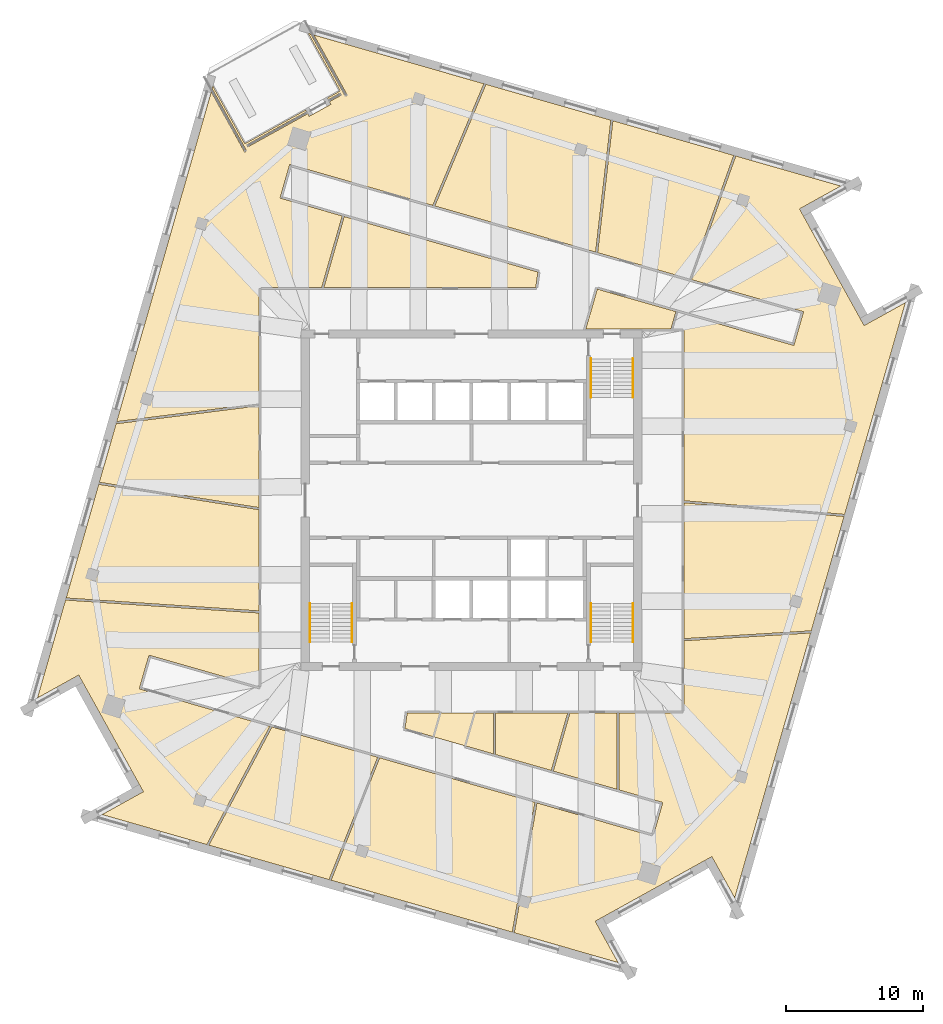
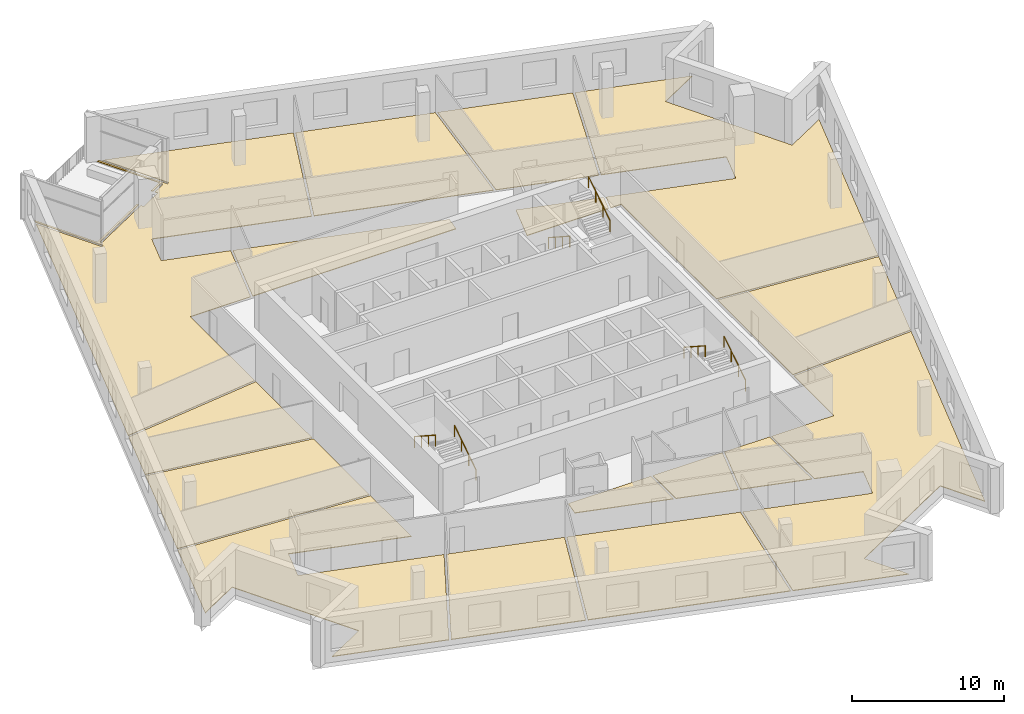
# One storey, part 13 of 15: 16 coverings, 6 railings.
"""IFC4 building model written with IfcOpenShell, lengths in metres."""

from ifc_helpers import new_model, si_unit, direction, frame, origin, origin_2d, place, context, subcontext, project, spatial, polyline, circle, outline, extrude, material, layer, layer_set, type_object, element, save


model = new_model("IFC4")

# Units and contexts
model_context = context("Model", 3, precision=1e-05, world=origin(), true_north=direction((0.0, 1.0)))
body_context = subcontext(model_context, "Body", "Model", "MODEL_VIEW")
ifc_project = project(units=[si_unit("LENGTHUNIT", "METRE"), si_unit("AREAUNIT", "SQUARE_METRE"), si_unit("VOLUMEUNIT", "CUBIC_METRE"), si_unit("PLANEANGLEUNIT", "RADIAN"), si_unit("MASSUNIT", "GRAM", prefix="KILO")], contexts=[model_context])

# Site, building, storey
site_placement = place(None, origin())
site = spatial("IfcSite", under=ifc_project, at=site_placement, CompositionType="ELEMENT")
building_placement = place(site_placement, origin())
building = spatial("IfcBuilding", under=site, at=building_placement, Name="Dilmun Exchange Tower", CompositionType="ELEMENT")
storey_placement = place(building_placement, frame((0.0, 0.0, 328.5)))
storey = spatial("IfcBuildingStorey", under=building, at=storey_placement, Name="L78", CompositionType="ELEMENT", Elevation=328.5)

# Coverings
ifc_material_1 = material(Name="Carpet floor finish 50")
ifc_layer_1 = layer(ifc_material_1, 0.050048828125)
ifc_layer_set_1 = layer_set([ifc_layer_1], Name="Carpet floor finish 50")
covering_type_1 = type_object("IfcCoveringType", Name="Carpet floor finish 50", PredefinedType="FLOORING", material=ifc_layer_set_1)
covering_1_placement = place(storey_placement, origin())
element("IfcCovering", 1, at=covering_1_placement, inside=storey, type_object=covering_type_1, Name="Carpet floor finish 50 Members library", PredefinedType="FLOORING", context=body_context, shape_type="SweptSolid", body=[
    extrude(outline(polyline([(-15.47509765625, -8.199951171875), (-15.47509765625, -13.5654296875), (-23.468994140625, -11.273193359375), (-24.171875, -13.724365234375), (-14.66455078125, -16.45068359375), (-19.263671875, -25.05908203125), (-26.8828125, -22.874267578125), (-23.880859375, -21.210205078125), (-23.880615234375, -21.210205078125), (-23.880615234375, -21.210205078125), (-23.88037109375, -21.2099609375), (-23.880126953125, -21.209716796875), (-23.880126953125, -21.209716796875), (-23.8798828125, -21.20947265625), (-23.8798828125, -21.209228515625), (-23.8798828125, -21.208984375), (-23.8798828125, -21.208984375), (-23.8798828125, -21.208740234375), (-23.8798828125, -21.20849609375), (-23.8798828125, -21.20849609375), (-23.8798828125, -21.208251953125), (-23.8798828125, -21.2080078125), (-23.8798828125, -21.207763671875), (-23.8798828125, -21.20751953125), (-24.170654296875, -20.68310546875), (-24.170654296875, -20.68310546875), (-24.1708984375, -20.68310546875), (-24.1708984375, -20.682861328125), (-28.291748046875, -13.24853515625), (-28.291748046875, -13.24853515625), (-28.291748046875, -13.24853515625), (-28.582763671875, -12.7236328125), (-28.582763671875, -12.7236328125), (-28.5830078125, -12.723388671875), (-28.5830078125, -12.723388671875), (-28.583251953125, -12.72314453125), (-28.58349609375, -12.722900390625), (-28.58349609375, -12.722900390625), (-28.583740234375, -12.722900390625), (-28.583984375, -12.722900390625), (-28.583984375, -12.72265625), (-28.584228515625, -12.72265625), (-28.58447265625, -12.72265625), (-28.584716796875, -12.72265625), (-28.5849609375, -12.722900390625), (-28.585205078125, -12.722900390625), (-28.585205078125, -12.722900390625), (-28.58544921875, -12.722900390625), (-31.587158203125, -14.386962890625), (-29.54296875, -7.2578125), (-15.47509765625, -8.199951171875)])), origin(), (0.0, 0.0, 1.0), 0.050048828125),
])
covering_2_placement = place(storey_placement, origin())
element("IfcCovering", 2, at=covering_2_placement, inside=storey, type_object=covering_type_1, Name="Carpet floor finish 50 Serviced office", PredefinedType="FLOORING", context=body_context, shape_type="SweptSolid", body=[
    extrude(outline(polyline([(-29.500732421875, -7.1103515625), (-27.127685546875, 1.1650390625), (-15.47509765625, -0.680908203125), (-15.47509765625, -8.049560546875), (-29.500732421875, -7.1103515625)])), origin(), (0.0, 0.0, 1.0), 0.050048828125),
])
covering_3_placement = place(storey_placement, origin())
element("IfcCovering", 3, at=covering_3_placement, inside=storey, type_object=covering_type_1, Name="Carpet floor finish 50 Members lounge", PredefinedType="FLOORING", context=body_context, shape_type="SweptSolid", body=[
    extrude(outline(polyline([(-15.47509765625, 6.875244140625), (-15.47509765625, -0.529052734375), (-27.086181640625, 1.310302734375), (-25.864501953125, 5.571044921875), (-15.47509765625, 6.875244140625)])), origin(), (0.0, 0.0, 1.0), 0.050048828125),
])
covering_4_placement = place(storey_placement, origin())
element("IfcCovering", 4, at=covering_4_placement, inside=storey, type_object=covering_type_1, Name="Carpet floor finish 50 Garden lounge", PredefinedType="FLOORING", context=body_context, shape_type="SweptSolid", body=[
    extrude(outline(polyline([(-16.49267578125, 25.95263671875), (-12.065185546875, 28.40673828125), (-11.99609375, 28.28173828125), (-16.35791015625, 25.864013671875), (-16.35791015625, 25.86376953125), (-16.358154296875, 25.86376953125), (-16.3583984375, 25.863525390625), (-16.3583984375, 25.86328125), (-16.358642578125, 25.86328125), (-16.358642578125, 25.863037109375), (-16.358642578125, 25.86279296875), (-16.35888671875, 25.86279296875), (-16.35888671875, 25.862548828125), (-16.35888671875, 25.8623046875), (-16.35888671875, 25.862060546875), (-16.35888671875, 25.86181640625), (-16.35888671875, 25.86181640625), (-16.35888671875, 25.861572265625), (-16.358642578125, 25.861328125), (-16.358642578125, 25.861083984375), (-16.281005859375, 25.72119140625), (-16.281005859375, 25.72119140625), (-16.28076171875, 25.720947265625), (-16.28076171875, 25.720703125), (-16.280517578125, 25.720703125), (-16.280517578125, 25.720703125), (-16.2802734375, 25.720458984375), (-16.280029296875, 25.720458984375), (-16.27978515625, 25.72021484375), (-16.27978515625, 25.72021484375), (-16.279541015625, 25.72021484375), (-16.279296875, 25.72021484375), (-16.279052734375, 25.72021484375), (-16.27880859375, 25.72021484375), (-16.27880859375, 25.72021484375), (-16.278564453125, 25.720458984375), (-16.2783203125, 25.720458984375), (-11.91650390625, 28.13818359375), (-11.810791015625, 27.947509765625), (-11.810791015625, 27.947509765625), (-11.810546875, 27.947265625), (-11.810302734375, 27.947265625), (-11.810302734375, 27.947021484375), (-11.81005859375, 27.947021484375), (-11.81005859375, 27.94677734375), (-11.809814453125, 27.94677734375), (-11.8095703125, 27.94677734375), (-11.809326171875, 27.94677734375), (-11.80908203125, 27.946533203125), (-11.80908203125, 27.946533203125), (-11.808837890625, 27.946533203125), (-11.80859375, 27.94677734375), (-11.808349609375, 27.94677734375), (-11.808349609375, 27.94677734375), (-11.80810546875, 27.947021484375), (-10.23388671875, 28.819580078125), (-10.233642578125, 28.819580078125), (-10.2333984375, 28.81982421875), (-10.2333984375, 28.81982421875), (-10.233154296875, 28.820068359375), (-10.233154296875, 28.8203125), (-10.23291015625, 28.8203125), (-10.23291015625, 28.820556640625), (-10.23291015625, 28.82080078125), (-10.23291015625, 28.821044921875), (-10.23291015625, 28.8212890625), (-10.23291015625, 28.8212890625), (-10.23291015625, 28.821533203125), (-10.23291015625, 28.82177734375), (-10.23291015625, 28.822021484375), (-10.23291015625, 28.822021484375), (-10.23291015625, 28.822265625), (-10.338623046875, 29.012939453125), (-9.475341796875, 29.491455078125), (-9.47509765625, 29.49169921875), (-9.47509765625, 29.49169921875), (-9.474853515625, 29.49169921875), (-9.474853515625, 29.491943359375), (-9.474609375, 29.4921875), (-9.474609375, 29.4921875), (-9.474609375, 29.492431640625), (-9.474365234375, 29.49267578125), (-9.474365234375, 29.492919921875), (-9.474365234375, 29.4931640625), (-9.474365234375, 29.493408203125), (-9.474365234375, 29.493408203125), (-9.474365234375, 29.49365234375), (-9.474365234375, 29.493896484375), (-9.474609375, 29.493896484375), (-9.474609375, 29.494140625), (-9.552001953125, 29.634033203125), (-9.55224609375, 29.63427734375), (-9.552490234375, 29.634521484375), (-9.552490234375, 29.634521484375), (-9.552490234375, 29.634765625), (-9.552734375, 29.635009765625), (-9.552978515625, 29.635009765625), (-9.552978515625, 29.635009765625), (-9.55322265625, 29.635009765625), (-9.553466796875, 29.635009765625), (-9.5537109375, 29.63525390625), (-9.553955078125, 29.63525390625), (-9.55419921875, 29.63525390625), (-9.55419921875, 29.635009765625), (-9.554443359375, 29.635009765625), (-9.5546875, 29.635009765625), (-9.554931640625, 29.635009765625), (-10.418212890625, 29.156494140625), (-10.487548828125, 29.281494140625), (-9.55859375, 29.79638671875), (-11.88330078125, 33.990234375), (-11.68896484375, 33.9345703125), (-9.178955078125, 29.406494140625), (-9.178955078125, 29.40625), (-9.1787109375, 29.406005859375), (-9.1787109375, 29.406005859375), (-9.178466796875, 29.406005859375), (-9.178466796875, 29.40576171875), (-9.17822265625, 29.405517578125), (-9.177978515625, 29.405517578125), (-9.177734375, 29.405517578125), (-9.177490234375, 29.405517578125), (-9.177490234375, 29.405517578125), (-9.17724609375, 29.405517578125), (-9.177001953125, 29.405517578125), (-9.1767578125, 29.405517578125), (-9.1767578125, 29.405517578125), (-9.176513671875, 29.405517578125), (-9.17626953125, 29.40576171875), (-9.036376953125, 29.483154296875), (-9.0361328125, 29.4833984375), (-9.035888671875, 29.4833984375), (-9.035888671875, 29.483642578125), (-9.035888671875, 29.483642578125), (-9.03564453125, 29.48388671875), (-9.03564453125, 29.484130859375), (-9.035400390625, 29.484130859375), (-9.035400390625, 29.484375), (-9.035400390625, 29.484619140625), (-9.035400390625, 29.48486328125), (-9.035400390625, 29.485107421875), (-9.035400390625, 29.485107421875), (-9.035400390625, 29.4853515625), (-9.035400390625, 29.485595703125), (-9.035400390625, 29.48583984375), (-9.03564453125, 29.486083984375), (-11.466064453125, 33.87060546875), (0.909912109375, 30.32177734375), (-2.815185546875, 21.462890625), (-13.22607421875, 24.447998046875), (-13.928955078125, 21.996826171875), (-9.404052734375, 20.699462890625), (-10.902099609375, 15.47509765625), (-15.47509765625, 15.47509765625), (-15.47509765625, 7.0263671875), (-25.8193359375, 5.727783203125), (-18.93701171875, 29.729248046875), (-16.506591796875, 25.344482421875), (-16.506591796875, 25.344482421875), (-16.506591796875, 25.34423828125), (-16.50634765625, 25.34423828125), (-16.506103515625, 25.343994140625), (-16.506103515625, 25.343994140625), (-16.505859375, 25.34375), (-16.505615234375, 25.34375), (-16.505615234375, 25.34375), (-16.50537109375, 25.343505859375), (-16.505126953125, 25.343505859375), (-16.5048828125, 25.343505859375), (-16.504638671875, 25.343505859375), (-16.50439453125, 25.34375), (-16.50439453125, 25.34375), (-16.504150390625, 25.34375), (-16.50390625, 25.343994140625), (-16.364013671875, 25.42138671875), (-16.364013671875, 25.42138671875), (-16.36376953125, 25.421630859375), (-16.363525390625, 25.421875), (-16.363525390625, 25.421875), (-16.36328125, 25.422119140625), (-16.36328125, 25.42236328125), (-16.36328125, 25.42236328125), (-16.363037109375, 25.422607421875), (-16.363037109375, 25.4228515625), (-16.363037109375, 25.423095703125), (-16.363037109375, 25.423095703125), (-16.363037109375, 25.42333984375), (-16.363037109375, 25.423583984375), (-16.363037109375, 25.423828125), (-16.36328125, 25.424072265625), (-16.36328125, 25.42431640625), (-18.873291015625, 29.9521484375), (-18.8173828125, 30.146484375), (-16.49267578125, 25.95263671875)])), origin(), (0.0, 0.0, 1.0), 0.050048828125),
])
covering_5_placement = place(storey_placement, origin())
element("IfcCovering", 5, at=covering_5_placement, inside=storey, type_object=covering_type_1, Name="Carpet floor finish 50 Business centre", PredefinedType="FLOORING", context=body_context, shape_type="SweptSolid", body=[
    extrude(outline(polyline([(-10.74609375, 15.47509765625), (-9.260009765625, 20.657958984375), (4.839111328125, 16.614990234375), (4.678955078125, 15.47509765625), (-10.74609375, 15.47509765625)])), origin(), (0.0, 0.0, 1.0), 0.050048828125),
])
covering_6_placement = place(storey_placement, origin())
element("IfcCovering", 6, at=covering_6_placement, inside=storey, type_object=covering_type_1, Name="Carpet floor finish 50 Cafe", PredefinedType="FLOORING", context=body_context, shape_type="SweptSolid", body=[
    extrude(outline(polyline([(-6.678955078125, -18.740478515625), (4.624755859375, -21.981689453125), (2.97265625, -31.43505859375), (-10.21630859375, -27.6533203125), (-6.678955078125, -18.740478515625)])), origin(), (0.0, 0.0, 1.0), 0.050048828125),
])
covering_7_placement = place(storey_placement, origin())
element("IfcCovering", 7, at=covering_7_placement, inside=storey, type_object=covering_type_1, Name="Carpet floor finish 50 Co-working hall 1", PredefinedType="FLOORING", context=body_context, shape_type="SweptSolid", body=[
    extrude(outline(polyline([(15.87353515625, 16.10400390625), (9.183349609375, 18.022216796875), (10.29443359375, 27.630859375), (19.094482421875, 25.107421875), (15.87353515625, 16.10400390625)])), origin(), (0.0, 0.0, 1.0), 0.050048828125),
])
covering_8_placement = place(storey_placement, origin())
element("IfcCovering", 8, at=covering_8_placement, inside=storey, type_object=covering_type_1, Name="Carpet floor finish 50 Co-working hall 2", PredefinedType="FLOORING", context=body_context, shape_type="SweptSolid", body=[
    extrude(outline(polyline([(4.769775390625, -22.023193359375), (13.22607421875, -24.447998046875), (13.928955078125, -21.996826171875), (10.744140625, -21.08349609375), (10.744140625, -15.47509765625), (15.47509765625, -15.47509765625), (15.47509765625, -10.22119140625), (24.693603515625, -9.65380859375), (19.16357421875, -28.939453125), (17.49951171875, -25.937744140625), (17.49951171875, -25.9375), (17.49951171875, -25.9375), (17.499267578125, -25.937255859375), (17.4990234375, -25.93701171875), (17.4990234375, -25.93701171875), (17.498779296875, -25.93701171875), (17.49853515625, -25.936767578125), (17.498291015625, -25.936767578125), (17.498291015625, -25.936767578125), (17.498046875, -25.936767578125), (17.497802734375, -25.936767578125), (17.497802734375, -25.936767578125), (17.49755859375, -25.936767578125), (17.497314453125, -25.936767578125), (17.4970703125, -25.936767578125), (17.496826171875, -25.93701171875), (16.972412109375, -26.2275390625), (16.972412109375, -26.2275390625), (16.972412109375, -26.227783203125), (16.97216796875, -26.227783203125), (9.538330078125, -30.348388671875), (9.538330078125, -30.348388671875), (9.5380859375, -30.348388671875), (9.5380859375, -30.348388671875), (9.537841796875, -30.3486328125), (9.012939453125, -30.639404296875), (9.012939453125, -30.6396484375), (9.0126953125, -30.6396484375), (9.0126953125, -30.639892578125), (9.012451171875, -30.639892578125), (9.01220703125, -30.64013671875), (9.01220703125, -30.640380859375), (9.01220703125, -30.640380859375), (9.01220703125, -30.640625), (9.011962890625, -30.640869140625), (9.011962890625, -30.64111328125), (9.011962890625, -30.641357421875), (9.011962890625, -30.6416015625), (9.01220703125, -30.6416015625), (9.01220703125, -30.641845703125), (9.01220703125, -30.64208984375), (9.01220703125, -30.64208984375), (10.67626953125, -33.64404296875), (3.11767578125, -31.476806640625), (4.769775390625, -22.023193359375)])), origin(), (0.0, 0.0, 1.0), 0.050048828125),
])
covering_9_placement = place(storey_placement, origin())
element("IfcCovering", 9, at=covering_9_placement, inside=storey, type_object=covering_type_1, Name="Carpet floor finish 50 Club dining room", PredefinedType="FLOORING", context=body_context, shape_type="SweptSolid", body=[
    extrude(outline(polyline([(15.47509765625, -10.071044921875), (15.47509765625, -0.181884765625), (27.125, -1.175048828125), (24.737548828125, -9.500732421875), (15.47509765625, -10.071044921875)])), origin(), (0.0, 0.0, 1.0), 0.050048828125),
])
covering_10_placement = place(storey_placement, origin())
element("IfcCovering", 10, at=covering_10_placement, inside=storey, type_object=covering_type_1, Name="Carpet floor finish 50 Co-working hall 3", PredefinedType="FLOORING", context=body_context, shape_type="SweptSolid", body=[
    extrude(outline(polyline([(15.027587890625, 13.693603515625), (23.468994140625, 11.273193359375), (24.171875, 13.724365234375), (16.01806640625, 16.0625), (19.23876953125, 25.066162109375), (26.8828125, 22.874267578125), (23.880859375, 21.210205078125), (23.880615234375, 21.210205078125), (23.880615234375, 21.210205078125), (23.88037109375, 21.2099609375), (23.880126953125, 21.209716796875), (23.880126953125, 21.209716796875), (23.8798828125, 21.20947265625), (23.8798828125, 21.209228515625), (23.8798828125, 21.208984375), (23.8798828125, 21.208984375), (23.8798828125, 21.208740234375), (23.8798828125, 21.20849609375), (23.8798828125, 21.20849609375), (23.8798828125, 21.208251953125), (23.8798828125, 21.2080078125), (23.8798828125, 21.207763671875), (23.8798828125, 21.20751953125), (24.170654296875, 20.68310546875), (24.170654296875, 20.68310546875), (24.1708984375, 20.68310546875), (24.1708984375, 20.682861328125), (28.291748046875, 13.24853515625), (28.291748046875, 13.24853515625), (28.291748046875, 13.24853515625), (28.582763671875, 12.7236328125), (28.582763671875, 12.7236328125), (28.5830078125, 12.723388671875), (28.5830078125, 12.723388671875), (28.583251953125, 12.72314453125), (28.58349609375, 12.722900390625), (28.58349609375, 12.722900390625), (28.583740234375, 12.722900390625), (28.583984375, 12.722900390625), (28.583984375, 12.72265625), (28.584228515625, 12.72265625), (28.58447265625, 12.72265625), (28.584716796875, 12.72265625), (28.5849609375, 12.722900390625), (28.585205078125, 12.722900390625), (28.585205078125, 12.722900390625), (28.58544921875, 12.722900390625), (31.587158203125, 14.386962890625), (27.1669921875, -1.028076171875), (15.47509765625, -0.03125), (15.47509765625, 12.47509765625), (14.67822265625, 12.47509765625), (15.027587890625, 13.693603515625)])), origin(), (0.0, 0.0, 1.0), 0.050048828125),
])

# Railings
ifc_material_2 = material(Name="Stainless steel", Category="steel")
railing_type = type_object("IfcRailingType", Name="Stair handrail 900", PredefinedType="HANDRAIL", material=ifc_material_2)
railing_1_placement = place(storey_placement, frame((8.699951171875, 10.300048828125, 0.181884765625)))
element("IfcRailing", 11, at=railing_1_placement, inside=storey, type_object=railing_type, Name="L78 ST1 stair handrail 1", PredefinedType="HANDRAIL", context=body_context, shape_type="SweptSolid", body=[
    extrude(circle(Radius=0.02392578125, at=origin_2d()), frame((0.0, 0.0, 0.8759765625), z_axis=(0.0, -0.838705829183, 0.544584733623), x_axis=(1.0, 0.0, 0.0)), (0.0, 0.0, 1.0), 3.338623046875),
    extrude(circle(Radius=0.02099609375, at=origin_2d()), origin(), (0.0, 0.0, 1.0), 0.851806640625),
    extrude(circle(Radius=0.02099609375, at=origin_2d()), frame((0.0, -0.933349609375, 0.60595703125)), (0.0, 0.0, 1.0), 0.851806640625),
    extrude(circle(Radius=0.02099609375, at=origin_2d()), frame((0.0, -1.86669921875, 1.212158203125)), (0.0, 0.0, 1.0), 0.851806640625),
    extrude(circle(Radius=0.02099609375, at=origin_2d()), frame((0.0, -2.800048828125, 1.818115234375)), (0.0, 0.0, 1.0), 0.851806640625),
])
for number, where, name in (
    (12, (11.75, 7.5, 2.181884765625), "L78 ST1 stair handrail 2"),
    (13, (-8.699951171875, -10.300048828125, 0.181884765625), "L78 ST2 stair handrail 1"),
):
    element("IfcRailing", number, at=place(storey_placement, frame(where)), inside=storey, type_object=railing_type, Name=name, PredefinedType="HANDRAIL", context=body_context, shape_type="SweptSolid", body=[
        extrude(circle(Radius=0.02392578125, at=origin_2d()), frame((0.0, 0.0, 0.8759765625), z_axis=(0.0, 0.838705829183, 0.544584733623), x_axis=(-1.0, 0.0, 0.0)), (0.0, 0.0, 1.0), 3.338623046875),
        extrude(circle(Radius=0.02099609375, at=origin_2d()), origin(), (0.0, 0.0, 1.0), 0.851806640625),
        extrude(circle(Radius=0.02099609375, at=origin_2d()), frame((0.0, 0.933349609375, 0.60595703125)), (0.0, 0.0, 1.0), 0.851806640625),
        extrude(circle(Radius=0.02099609375, at=origin_2d()), frame((0.0, 1.86669921875, 1.212158203125)), (0.0, 0.0, 1.0), 0.851806640625),
        extrude(circle(Radius=0.02099609375, at=origin_2d()), frame((0.0, 2.800048828125, 1.818115234375)), (0.0, 0.0, 1.0), 0.851806640625),
    ])
railing_2_placement = place(storey_placement, frame((-11.75, -7.5, 2.181884765625)))
element("IfcRailing", 14, at=railing_2_placement, inside=storey, type_object=railing_type, Name="L78 ST2 stair handrail 2", PredefinedType="HANDRAIL", context=body_context, shape_type="SweptSolid", body=[
    extrude(circle(Radius=0.02392578125, at=origin_2d()), frame((0.0, 0.0, 0.8759765625), z_axis=(0.0, -0.838705829183, 0.544584733623), x_axis=(1.0, 0.0, 0.0)), (0.0, 0.0, 1.0), 3.338623046875),
    extrude(circle(Radius=0.02099609375, at=origin_2d()), origin(), (0.0, 0.0, 1.0), 0.851806640625),
    extrude(circle(Radius=0.02099609375, at=origin_2d()), frame((0.0, -0.933349609375, 0.60595703125)), (0.0, 0.0, 1.0), 0.851806640625),
    extrude(circle(Radius=0.02099609375, at=origin_2d()), frame((0.0, -1.86669921875, 1.212158203125)), (0.0, 0.0, 1.0), 0.851806640625),
    extrude(circle(Radius=0.02099609375, at=origin_2d()), frame((0.0, -2.800048828125, 1.818115234375)), (0.0, 0.0, 1.0), 0.851806640625),
])
railing_3_placement = place(storey_placement, frame((11.75, -10.300048828125, 0.181884765625)))
element("IfcRailing", 15, at=railing_3_placement, inside=storey, type_object=railing_type, Name="L78 ST3 stair handrail 1", PredefinedType="HANDRAIL", context=body_context, shape_type="SweptSolid", body=[
    extrude(circle(Radius=0.02392578125, at=origin_2d()), frame((0.0, 0.0, 0.8759765625), z_axis=(0.0, 0.838705829183, 0.544584733623), x_axis=(-1.0, 0.0, 0.0)), (0.0, 0.0, 1.0), 3.338623046875),
    extrude(circle(Radius=0.02099609375, at=origin_2d()), origin(), (0.0, 0.0, 1.0), 0.851806640625),
    extrude(circle(Radius=0.02099609375, at=origin_2d()), frame((0.0, 0.933349609375, 0.60595703125)), (0.0, 0.0, 1.0), 0.851806640625),
    extrude(circle(Radius=0.02099609375, at=origin_2d()), frame((0.0, 1.86669921875, 1.212158203125)), (0.0, 0.0, 1.0), 0.851806640625),
    extrude(circle(Radius=0.02099609375, at=origin_2d()), frame((0.0, 2.800048828125, 1.818115234375)), (0.0, 0.0, 1.0), 0.851806640625),
])
railing_4_placement = place(storey_placement, frame((8.699951171875, -7.5, 2.181884765625)))
element("IfcRailing", 16, at=railing_4_placement, inside=storey, type_object=railing_type, Name="L78 ST3 stair handrail 2", PredefinedType="HANDRAIL", context=body_context, shape_type="SweptSolid", body=[
    extrude(circle(Radius=0.02392578125, at=origin_2d()), frame((0.0, 0.0, 0.8759765625), z_axis=(0.0, -0.838705829183, 0.544584733623), x_axis=(1.0, 0.0, 0.0)), (0.0, 0.0, 1.0), 3.338623046875),
    extrude(circle(Radius=0.02099609375, at=origin_2d()), origin(), (0.0, 0.0, 1.0), 0.851806640625),
    extrude(circle(Radius=0.02099609375, at=origin_2d()), frame((0.0, -0.933349609375, 0.60595703125)), (0.0, 0.0, 1.0), 0.851806640625),
    extrude(circle(Radius=0.02099609375, at=origin_2d()), frame((0.0, -1.86669921875, 1.212158203125)), (0.0, 0.0, 1.0), 0.851806640625),
    extrude(circle(Radius=0.02099609375, at=origin_2d()), frame((0.0, -2.800048828125, 1.818115234375)), (0.0, 0.0, 1.0), 0.851806640625),
])

# Coverings
ifc_material_3 = material(Name="Stone floor finish 50", Category="masonry")
ifc_layer_2 = layer(ifc_material_3, 0.050048828125)
ifc_layer_set_2 = layer_set([ifc_layer_2], Name="Stone floor finish 50")
covering_type_2 = type_object("IfcCoveringType", Name="Stone floor finish 50", PredefinedType="FLOORING", material=ifc_layer_set_2)
covering_11_placement = place(storey_placement, origin())
element("IfcCovering", 17, at=covering_11_placement, inside=storey, type_object=covering_type_2, Name="Stone floor finish 50 Reception 1", PredefinedType="FLOORING", context=body_context, shape_type="SweptSolid", body=[
    extrude(outline(polyline([(-14.51708984375, -16.492919921875), (-6.82373046875, -18.698974609375), (-10.361083984375, -27.61181640625), (-19.1162109375, -25.101318359375), (-14.51708984375, -16.492919921875)])), origin(), (0.0, 0.0, 1.0), 0.050048828125),
])
covering_12_placement = place(storey_placement, origin())
element("IfcCovering", 18, at=covering_12_placement, inside=storey, type_object=covering_type_2, Name="Stone floor finish 50 Reception 2", PredefinedType="FLOORING", context=body_context, shape_type="SweptSolid", body=[
    extrude(outline(polyline([(9.037109375, 18.064208984375), (-2.669921875, 21.421142578125), (1.05517578125, 30.2802734375), (10.1484375, 27.6728515625), (9.037109375, 18.064208984375)])), origin(), (0.0, 0.0, 1.0), 0.050048828125),
])
covering_13_placement = place(storey_placement, origin())
element("IfcCovering", 19, at=covering_13_placement, inside=storey, type_object=covering_type_2, Name="Stone floor finish 50 Reception 3", PredefinedType="FLOORING", context=body_context, shape_type="SweptSolid", body=[
    extrude(outline(polyline([(10.593994140625, -21.04052734375), (5.95361328125, -19.7099609375), (7.16796875, -15.47509765625), (10.593994140625, -15.47509765625), (10.593994140625, -21.04052734375)])), origin(), (0.0, 0.0, 1.0), 0.050048828125),
])
ifc_material_4 = material(Name="Tile floor finish 50")
ifc_layer_3 = layer(ifc_material_4, 0.050048828125)
ifc_layer_set_3 = layer_set([ifc_layer_3], Name="Tile floor finish 50")
covering_type_3 = type_object("IfcCoveringType", Name="Tile floor finish 50", PredefinedType="FLOORING", material=ifc_layer_set_3)
covering_14_placement = place(storey_placement, origin())
element("IfcCovering", 20, at=covering_14_placement, inside=storey, type_object=covering_type_3, Name="Tile floor finish 50 Pantry 1", PredefinedType="FLOORING", context=body_context, shape_type="SweptSolid", body=[
    extrude(outline(polyline([(1.595458984375, -15.47509765625), (1.595458984375, -18.460205078125), (-4.839111328125, -16.614990234375), (-4.678955078125, -15.47509765625), (1.595458984375, -15.47509765625)])), origin(), (0.0, 0.0, 1.0), 0.050048828125),
])
covering_15_placement = place(storey_placement, origin())
element("IfcCovering", 21, at=covering_15_placement, inside=storey, type_object=covering_type_3, Name="Tile floor finish 50 Pantry 2", PredefinedType="FLOORING", context=body_context, shape_type="SweptSolid", body=[
    extrude(outline(polyline([(1.745361328125, -15.47509765625), (7.011962890625, -15.47509765625), (5.809326171875, -19.668701171875), (1.745361328125, -18.50341796875), (1.745361328125, -15.47509765625)])), origin(), (0.0, 0.0, 1.0), 0.050048828125),
])
covering_16_placement = place(storey_placement, origin())
element("IfcCovering", 22, at=covering_16_placement, inside=storey, type_object=covering_type_3, Name="Tile floor finish 50 Pantry 3", PredefinedType="FLOORING", context=body_context, shape_type="SweptSolid", body=[
    extrude(outline(polyline([(8.326171875, 12.47509765625), (9.158203125, 15.376708984375), (14.883544921875, 13.735107421875), (14.522216796875, 12.47509765625), (8.326171875, 12.47509765625)])), origin(), (0.0, 0.0, 1.0), 0.050048828125),
])

save(model, "model.ifc")
